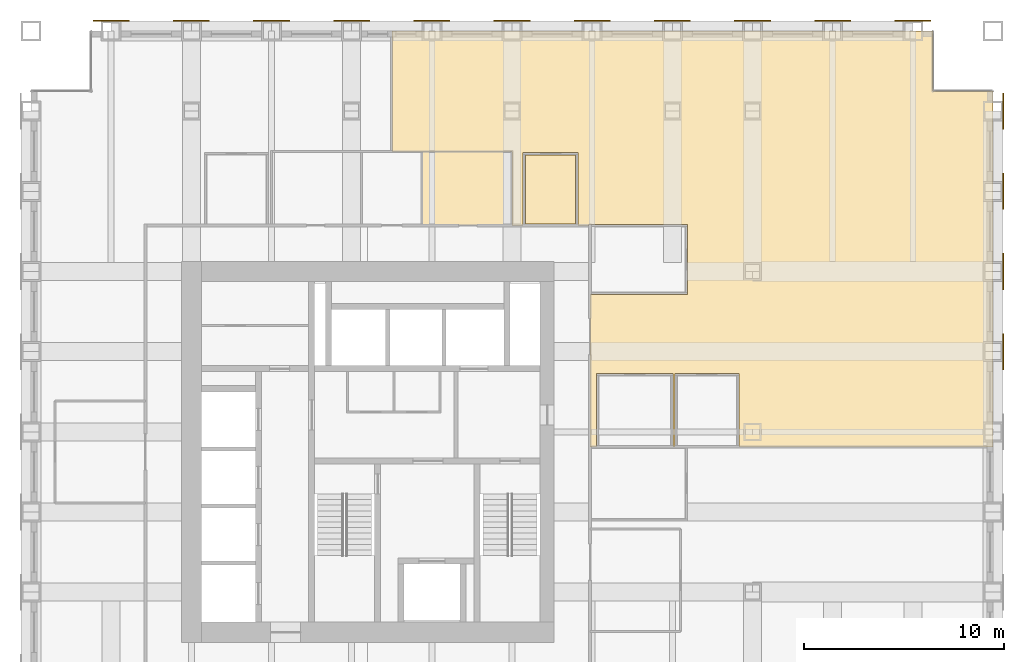
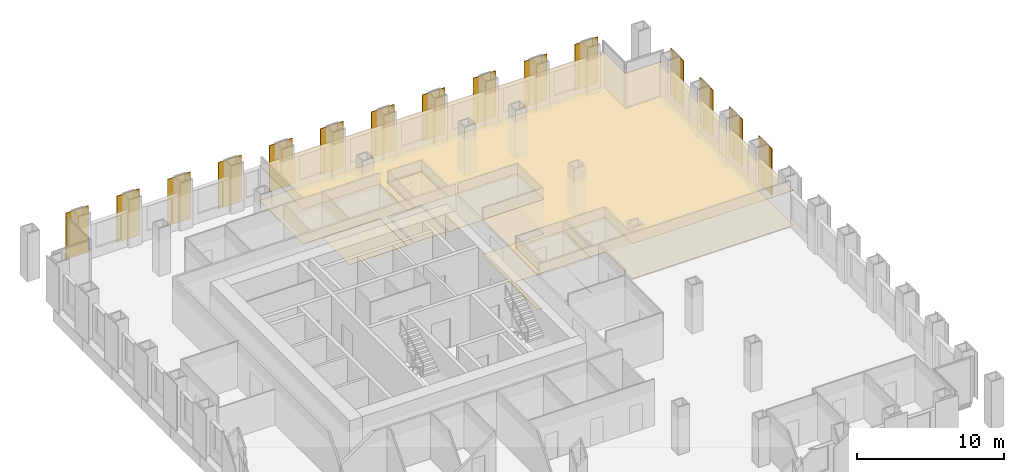
# One storey, part 16 of 16: 15 shading devices, 5 coverings.
"""IFC4 building model written with IfcOpenShell, lengths in metres."""

from ifc_helpers import new_model, si_unit, direction, frame, origin, origin_2d, place, context, subcontext, project, spatial, polyline, rectangle, outline, extrude, material, layer, layer_set, type_object, element, save


model = new_model("IFC4")

# Units and contexts
model_context = context("Model", 3, precision=1e-05, world=origin(), true_north=direction((0.0, 1.0)))
body_context = subcontext(model_context, "Body", "Model", "MODEL_VIEW")
ifc_project = project(units=[si_unit("LENGTHUNIT", "METRE"), si_unit("AREAUNIT", "SQUARE_METRE"), si_unit("VOLUMEUNIT", "CUBIC_METRE"), si_unit("PLANEANGLEUNIT", "RADIAN"), si_unit("MASSUNIT", "GRAM", prefix="KILO")], contexts=[model_context])

# Site, building, storey
site_placement = place(None, origin())
site = spatial("IfcSite", under=ifc_project, at=site_placement, CompositionType="ELEMENT")
building_placement = place(site_placement, origin())
building = spatial("IfcBuilding", under=site, at=building_placement, Name="Rimbunsela Tower", CompositionType="ELEMENT")
storey_placement = place(building_placement, frame((0.0, 0.0, 93.39990234375)))
storey = spatial("IfcBuildingStorey", under=building, at=storey_placement, Name="L22", CompositionType="ELEMENT", Elevation=93.39990234375)

# Coverings
ifc_material_1 = material(Name="Nylon carpet tile", Category="textile")
ifc_layer_1 = layer(ifc_material_1, 0.010009765625)
ifc_layer_set_1 = layer_set([ifc_layer_1], Name="Carpet tile 10")
covering_type_1 = type_object("IfcCoveringType", Name="Carpet tile 10", PredefinedType="FLOORING", material=ifc_layer_set_1)
covering_1_placement = place(storey_placement, origin())
element("IfcCovering", 1, at=covering_1_placement, inside=storey, type_object=covering_type_1, Name="Floor finish Open office", PredefinedType="FLOORING", context=body_context, shape_type="SweptSolid", body=[
    extrude(outline(polyline([(58.0, 27.2509765625), (45.324951171875, 27.2509765625), (45.324951171875, 30.89990234375), (42.125, 30.89990234375), (42.125, 27.2509765625), (42.02490234375, 27.2509765625), (42.02490234375, 30.89990234375), (38.22509765625, 30.89990234375), (38.22509765625, 27.2509765625), (37.89990234375, 27.2509765625), (37.89990234375, 34.85009765625), (42.75, 34.85009765625), (42.75, 38.35009765625), (37.89990234375, 38.35009765625), (37.85009765625, 38.35009765625), (37.85009765625, 38.300048828125), (37.300048828125, 38.300048828125), (37.300048828125, 41.949951171875), (34.550048828125, 41.949951171875), (34.550048828125, 38.300048828125), (34.0, 38.300048828125), (34.0, 42.0), (28.0009765625, 42.0), (28.0009765625, 48.0), (37.89990234375, 48.0), (55.0, 48.0), (55.0, 45.0), (58.0, 45.0), (58.0, 27.2509765625)])), origin(), (0.0, 0.0, 1.0), 0.010009765625),
])
covering_2_placement = place(storey_placement, origin())
element("IfcCovering", 2, at=covering_2_placement, inside=storey, type_object=covering_type_1, Name="Floor finish Print and copy room", PredefinedType="FLOORING", context=body_context, shape_type="SweptSolid", body=[
    extrude(outline(polyline([(37.175048828125, 38.375), (37.175048828125, 41.824951171875), (34.675048828125, 41.824951171875), (34.675048828125, 38.375), (37.175048828125, 38.375)])), origin(), (0.0, 0.0, 1.0), 0.010009765625),
])
ifc_material_2 = material(Name="Mineral fibre ceiling tile", Category="gypsum")
ifc_layer_2 = layer(ifc_material_2, 0.02001953125)
ifc_layer_set_2 = layer_set([ifc_layer_2], Name="Ceiling 600 grid")
covering_type_2 = type_object("IfcCoveringType", Name="Ceiling 600 grid", PredefinedType="CEILING", material=ifc_layer_set_2)
covering_3_placement = place(storey_placement, frame((0.0, 0.0, 2.900146484375)))
element("IfcCovering", 3, at=covering_3_placement, inside=storey, type_object=covering_type_2, Name="Ceiling Open office", PredefinedType="CEILING", context=body_context, shape_type="SweptSolid", body=[
    extrude(outline(polyline([(58.0, 27.2509765625), (45.324951171875, 27.2509765625), (45.324951171875, 30.89990234375), (42.125, 30.89990234375), (42.125, 27.2509765625), (42.02490234375, 27.2509765625), (42.02490234375, 30.89990234375), (38.22509765625, 30.89990234375), (38.22509765625, 27.2509765625), (37.89990234375, 27.2509765625), (37.89990234375, 34.85009765625), (42.75, 34.85009765625), (42.75, 38.35009765625), (37.89990234375, 38.35009765625), (37.85009765625, 38.35009765625), (37.85009765625, 38.300048828125), (37.300048828125, 38.300048828125), (37.300048828125, 41.949951171875), (34.550048828125, 41.949951171875), (34.550048828125, 38.300048828125), (34.0, 38.300048828125), (34.0, 42.0), (28.0009765625, 42.0), (28.0009765625, 48.0), (37.89990234375, 48.0), (55.0, 48.0), (55.0, 45.0), (58.0, 45.0), (58.0, 27.2509765625)])), origin(), (0.0, 0.0, 1.0), 0.02001953125),
])
covering_4_placement = place(storey_placement, frame((0.0, 0.0, 2.900146484375)))
element("IfcCovering", 4, at=covering_4_placement, inside=storey, type_object=covering_type_2, Name="Ceiling Print and copy room", PredefinedType="CEILING", context=body_context, shape_type="SweptSolid", body=[
    extrude(outline(polyline([(37.175048828125, 38.375), (37.175048828125, 41.824951171875), (34.675048828125, 41.824951171875), (34.675048828125, 38.375), (37.175048828125, 38.375)])), origin(), (0.0, 0.0, 1.0), 0.02001953125),
])
ifc_material_3 = material(Name="Porcelain floor tile in adhesive bed", Category="ceramic")
ifc_layer_3 = layer(ifc_material_3, 0.02001953125)
ifc_layer_set_3 = layer_set([ifc_layer_3], Name="Porcelain tile 20")
covering_type_3 = type_object("IfcCoveringType", Name="Porcelain tile 20", PredefinedType="FLOORING", material=ifc_layer_set_3)
covering_5_placement = place(storey_placement, origin())
element("IfcCovering", 5, at=covering_5_placement, inside=storey, type_object=covering_type_3, Name="Floor finish Male WC", PredefinedType="FLOORING", context=body_context, shape_type="SweptSolid", body=[
    extrude(outline(polyline([(34.0, 38.300048828125), (34.0, 42.0), (29.5, 42.0), (29.5, 38.300048828125), (34.0, 38.300048828125)])), origin(), (0.0, 0.0, 1.0), 0.02001953125),
])

# Shading devices
ifc_material_4 = material(Name="Perforated aluminium, 35 % open area", Category="aluminium")
ifc_layer_4 = layer(ifc_material_4, 0.050048828125)
ifc_layer_set_4 = layer_set([ifc_layer_4], Name="Solar screen panel 1800")
shading_device_type = type_object("IfcShadingDeviceType", Name="Solar screen panel 1800", PredefinedType="USERDEFINED", material=ifc_layer_set_4)
for number, where, z_axis, x_axis, name in (
    (6, (58.52490234375, 32.0, 0.0), (0.0, 0.0, 1.0), (0.0, 1.0, 0.0), "Solar screen E L22"),
    (7, (58.52490234375, 36.0, 0.0), (0.0, 0.0, 1.0), (0.0, 1.0, 0.0), "Solar screen E L22"),
    (8, (58.52490234375, 40.0, 0.0), (0.0, 0.0, 1.0), (0.0, 1.0, 0.0), "Solar screen E L22"),
    (9, (58.52490234375, 44.0, 0.0), (0.0, 0.0, 1.0), (0.0, 1.0, 0.0), "Solar screen E L22"),
    (10, (14.0, 48.52490234375, 0.0), (0.0, 0.0, 1.0), (1.0, 0.0, 0.0), "Solar screen N L22"),
    (11, (18.0, 48.52490234375, 0.0), (0.0, 0.0, 1.0), (1.0, 0.0, 0.0), "Solar screen N L22"),
    (12, (22.0, 48.52490234375, 0.0), (0.0, 0.0, 1.0), (1.0, 0.0, 0.0), "Solar screen N L22"),
    (13, (26.0, 48.52490234375, 0.0), (0.0, 0.0, 1.0), (1.0, 0.0, 0.0), "Solar screen N L22"),
    (14, (30.0, 48.52490234375, 0.0), (0.0, 0.0, 1.0), (1.0, 0.0, 0.0), "Solar screen N L22"),
    (15, (34.0, 48.52490234375, 0.0), (0.0, 0.0, 1.0), (1.0, 0.0, 0.0), "Solar screen N L22"),
    (16, (38.0, 48.52490234375, 0.0), (0.0, 0.0, 1.0), (1.0, 0.0, 0.0), "Solar screen N L22"),
    (17, (42.0, 48.52490234375, 0.0), (0.0, 0.0, 1.0), (1.0, 0.0, 0.0), "Solar screen N L22"),
    (18, (46.0, 48.52490234375, 0.0), (0.0, 0.0, 1.0), (1.0, 0.0, 0.0), "Solar screen N L22"),
    (19, (50.0, 48.52490234375, 0.0), (0.0, 0.0, 1.0), (1.0, 0.0, 0.0), "Solar screen N L22"),
    (20, (54.0, 48.52490234375, 0.0), (0.0, 0.0, 1.0), (1.0, 0.0, 0.0), "Solar screen N L22"),
):
    element("IfcShadingDevice", number, at=place(storey_placement, frame(where, z_axis=z_axis, x_axis=x_axis)), inside=storey, type_object=shading_device_type, Name=name, ObjectType="SCREEN", PredefinedType="USERDEFINED", context=body_context, shape_type="SweptSolid", body=[
        extrude(rectangle(XDim=1.800048828125, YDim=0.050048828125, at=origin_2d()), origin(), (0.0, 0.0, 1.0), 3.85009765625),
    ])

save(model, "model.ifc")
